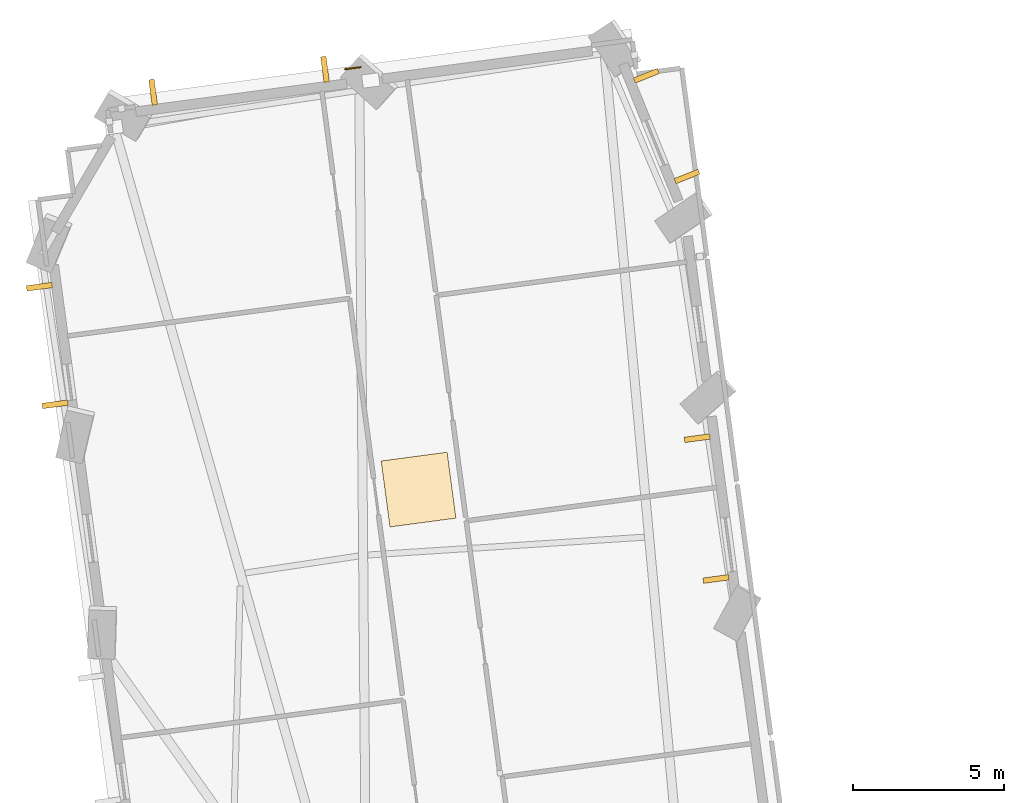
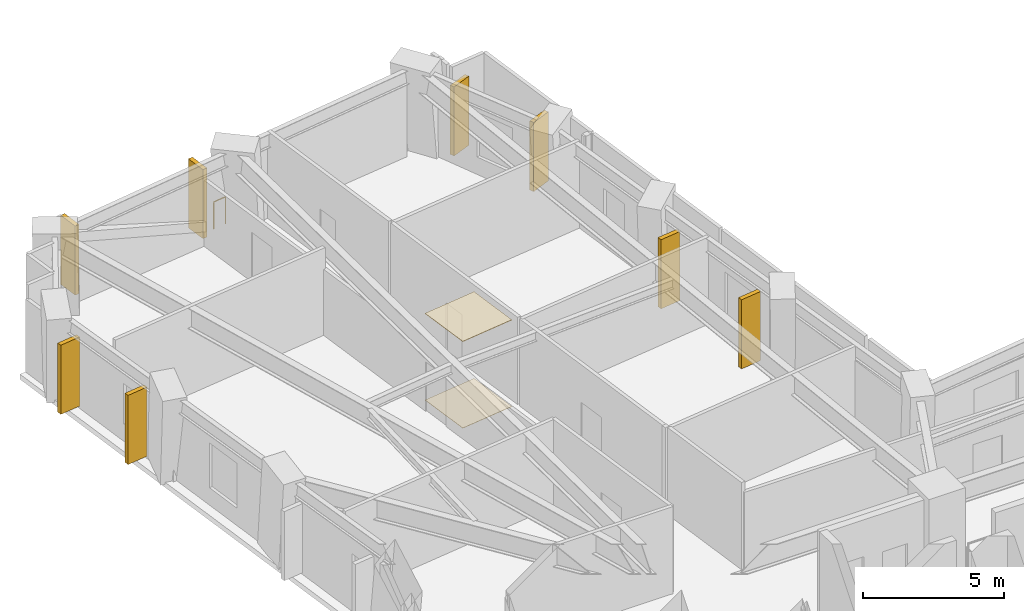
# One storey, part 14 of 14: 8 shading devices, 2 coverings, 1 railing.
"""IFC4 building model written with IfcOpenShell, lengths in metres."""

from ifc_helpers import new_model, si_unit, direction, frame, origin, origin_2d, place, context, subcontext, project, spatial, rectangle, circle, extrude, material, layer, layer_set, type_object, element, save


model = new_model("IFC4")

# Units and contexts
model_context = context("Model", 3, precision=1e-05, world=origin(), true_north=direction((0.0, 1.0)))
body_context = subcontext(model_context, "Body", "Model", "MODEL_VIEW")
ifc_project = project(units=[si_unit("LENGTHUNIT", "METRE"), si_unit("AREAUNIT", "SQUARE_METRE"), si_unit("VOLUMEUNIT", "CUBIC_METRE"), si_unit("PLANEANGLEUNIT", "RADIAN"), si_unit("MASSUNIT", "GRAM", prefix="KILO")], contexts=[model_context])

# Site, building, storey
site_placement = place(None, origin())
site = spatial("IfcSite", under=ifc_project, at=site_placement, CompositionType="ELEMENT")
building_placement = place(site_placement, origin())
building = spatial("IfcBuilding", under=site, at=building_placement, Name="Gaonmaruhae Medical Tower", CompositionType="ELEMENT")
storey_placement = place(building_placement, frame((0.0, 0.0, 55.0)))
storey = spatial("IfcBuildingStorey", under=building, at=storey_placement, Name="L12", CompositionType="ELEMENT", Elevation=55.0)

# Coverings
ifc_material_1 = material(Name="Acoustic mineral ceiling tile", Category="finish")
ifc_layer_1 = layer(ifc_material_1, 0.02490234375)
ifc_layer_set_1 = layer_set([ifc_layer_1], Name="Acoustic mineral ceiling tile")
covering_type_1 = type_object("IfcCoveringType", Name="CLG-01 Antimicrobial Acoustic Mineral Ceiling", PredefinedType="CEILING", material=ifc_layer_set_1)
covering_1_placement = place(storey_placement, frame((15.704833984375, 34.34912109375, 3.755126953125), z_axis=(0.0, 0.0, 1.0), x_axis=(0.991215540252, 0.132256390257, 0.0)))
element("IfcCovering", 1, at=covering_1_placement, inside=storey, type_object=covering_type_1, Name="L12 Clinical Corridor Acoustic Ceiling", PredefinedType="CEILING", context=body_context, shape_type="SweptSolid", body=[
    extrude(rectangle(XDim=2.199951171875, YDim=2.199951171875, at=origin_2d()), origin(), (0.0, 0.0, 1.0), 0.02490234375),
])
ifc_material_2 = material(Name="Seamless clinical vinyl flooring", Category="finish")
ifc_layer_2 = layer(ifc_material_2, 0.014892578125)
ifc_layer_set_2 = layer_set([ifc_layer_2], Name="Seamless clinical vinyl flooring")
covering_type_2 = type_object("IfcCoveringType", Name="FLR-01 Seamless Clinical Antistatic Vinyl Flooring", PredefinedType="FLOORING", material=ifc_layer_set_2)
covering_2_placement = place(storey_placement, frame((15.704833984375, 34.34912109375, 0.00048828125), z_axis=(0.0, 0.0, 1.0), x_axis=(0.991215540252, 0.132256390257, 0.0)))
element("IfcCovering", 2, at=covering_2_placement, inside=storey, type_object=covering_type_2, Name="L12 Clinical Corridor Vinyl Flooring", PredefinedType="FLOORING", context=body_context, shape_type="SweptSolid", body=[
    extrude(rectangle(XDim=2.199951171875, YDim=2.199951171875, at=origin_2d()), origin(), (0.0, 0.0, 1.0), 0.014892578125),
])

# Railing
ifc_material_3 = material(Name="Stainless steel 316L and laminated safety glass", Category="steel")
ifc_layer_3 = layer(ifc_material_3, 0.080078125)
ifc_layer_set_3 = layer_set([ifc_layer_3], Name="Stainless steel 316L and laminated safety glass")
railing_type = type_object("IfcRailingType", Name="GD-120 Outdoor Terrace Safety Glass & Steel Balustrade", PredefinedType="BALUSTRADE", material=ifc_layer_set_3)
railing_placement = place(storey_placement, frame((13.27587890625, 48.248046875, 0.0)))
element("IfcRailing", 3, at=railing_placement, inside=storey, type_object=railing_type, Name="L12 Perimeter Slab Edge Safety Balustrade 02", PredefinedType="BALUSTRADE", context=body_context, shape_type="SweptSolid", body=[
    extrude(circle(Radius=0.02392578125, at=origin_2d()), frame((0.0, 0.0, 1.17578125), z_axis=(0.991227900683, 0.132163720091, 0.0), x_axis=(-0.132163720091, 0.991227900683, 0.0)), (0.0, 0.0, 1.0), 0.517333984375),
    extrude(circle(Radius=0.02099609375, at=origin_2d()), origin(), (0.0, 0.0, 1.0), 1.15185546875),
    extrude(circle(Radius=0.02099609375, at=origin_2d()), frame((0.5126953125, 0.068359375, 0.0)), (0.0, 0.0, 1.0), 1.15185546875),
])

# Shading devices
ifc_material_4 = material(Name="Pigmented coral precast concrete C45/55", Category="concrete")
shading_device_type = type_object("IfcShadingDeviceType", Name="SD-FIN1 Tower Vertical Coral Precast Shading Fin", PredefinedType="USERDEFINED", material=ifc_material_4)
for number, where, z_axis, x_axis, name in (
    (4, (25.542236328125, 31.39306640625, 0.08251953125), (0.0, 0.0, 1.0), (-0.132239090262, 0.99121784841, 0.0), "L12 Vertical Coral Precast Shading Fin NE01"),
    (5, (24.921142578125, 36.04833984375, 0.08251953125), (0.0, 0.0, 1.0), (-0.132239090262, 0.99121784841, 0.0), "L12 Vertical Coral Precast Shading Fin NE01B"),
    (6, (23.2392578125, 48.0322265625, 0.08251953125), (0.0, 0.0, 1.0), (0.374331475943, -0.927294961767, 0.0), "L12 Vertical Coral Precast Shading Fin NE03"),
    (7, (24.582763671875, 44.7041015625, 0.08251953125), (0.0, 0.0, 1.0), (0.374331475943, -0.927294961767, 0.0), "L12 Vertical Coral Precast Shading Fin NE03B"),
    (8, (6.928466796875, 47.48681640625, 0.08251953125), (0.0, 0.0, 1.0), (0.991215540252, 0.132256390257, 0.0), "L12 Vertical Coral Precast Shading Fin N02"),
    (9, (12.612548828125, 48.245361328125, 0.08251953125), (0.0, 0.0, 1.0), (0.991215540252, 0.132256390257, 0.0), "L12 Vertical Coral Precast Shading Fin N02B"),
    (10, (3.686279296875, 37.1689453125, 0.08251953125), (0.0, 0.0, 1.0), (-0.132256390257, 0.991215540252, 0.0), "L12 Vertical Coral Precast Shading Fin W01"),
    (11, (3.16748046875, 41.057373046875, 0.08251953125), (0.0, 0.0, 1.0), (-0.132256390257, 0.991215540252, 0.0), "L12 Vertical Coral Precast Shading Fin W01B"),
):
    element("IfcShadingDevice", number, at=place(storey_placement, frame(where, z_axis=z_axis, x_axis=x_axis)), inside=storey, type_object=shading_device_type, Name=name, ObjectType="FIN", PredefinedType="USERDEFINED", context=body_context, shape_type="SweptSolid", body=[
        extrude(rectangle(XDim=0.179931640625, YDim=0.85009765625, at=origin_2d()), origin(), (0.0, 0.0, 1.0), 3.0),
    ])

save(model, "model.ifc")
